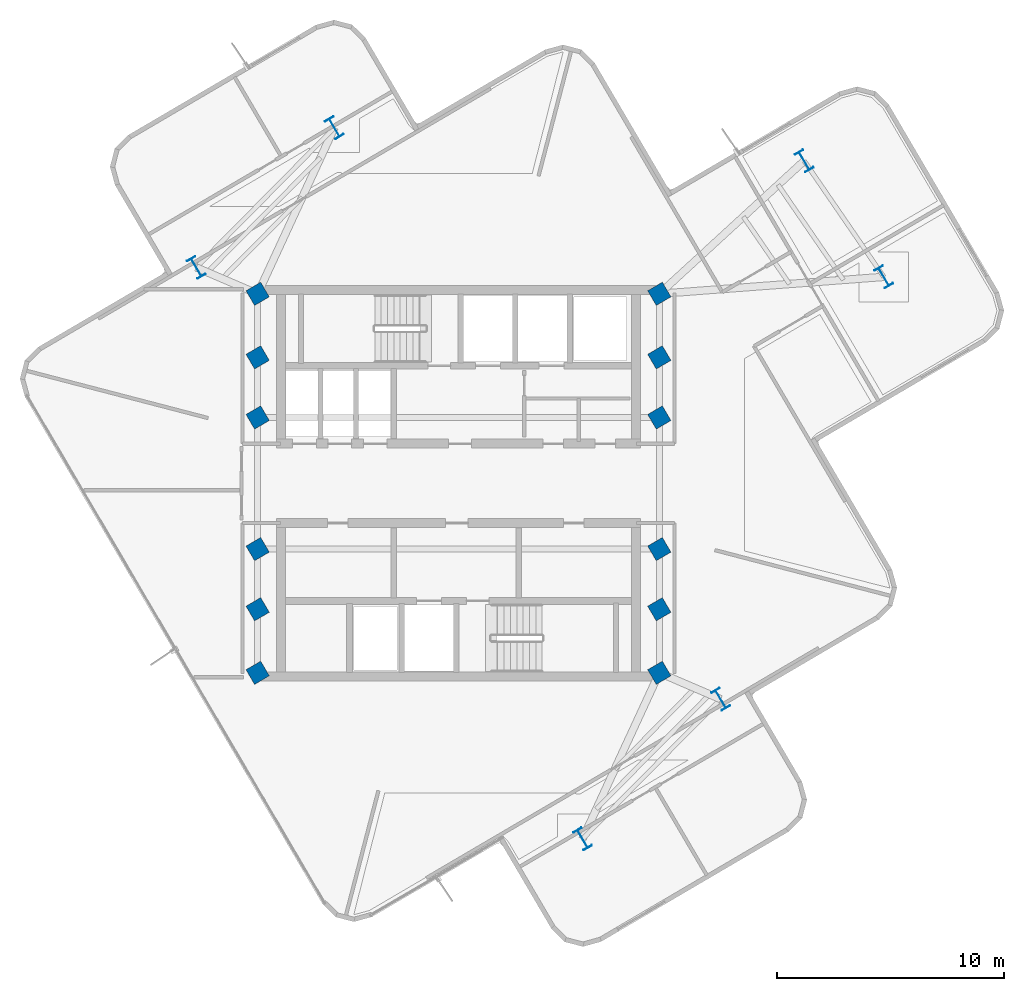
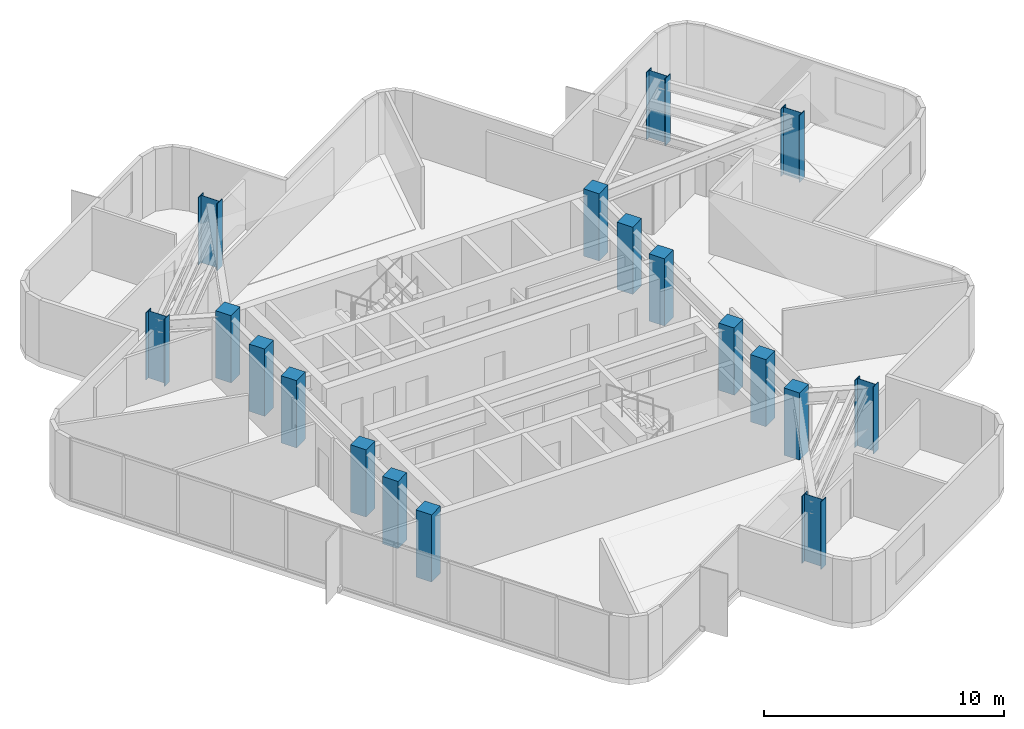
# One storey, part 1 of 9: 18 columns.
"""IFC4 building model written with IfcOpenShell, lengths in metres."""

from ifc_helpers import new_model, si_unit, direction, frame, origin, origin_2d, place, context, subcontext, project, spatial, rectangle, i_section, extrude, material, material_profile, profile_set, type_object, element, save


model = new_model("IFC4")

# Units and contexts
model_context = context("Model", 3, precision=1e-05, world=origin(), true_north=direction((0.0, 1.0)))
body_context = subcontext(model_context, "Body", "Model", "MODEL_VIEW")
ifc_project = project(units=[si_unit("LENGTHUNIT", "METRE"), si_unit("AREAUNIT", "SQUARE_METRE"), si_unit("VOLUMEUNIT", "CUBIC_METRE"), si_unit("PLANEANGLEUNIT", "RADIAN"), si_unit("MASSUNIT", "GRAM", prefix="KILO")], contexts=[model_context])

# Site, building, storey
site_placement = place(None, origin())
site = spatial("IfcSite", under=ifc_project, at=site_placement, CompositionType="ELEMENT")
building_placement = place(site_placement, origin())
building = spatial("IfcBuilding", under=site, at=building_placement, Name="Solmarez Civic Tower", CompositionType="ELEMENT")
storey_placement = place(building_placement, frame((0.0, 0.0, 208.6201171875)))
storey = spatial("IfcBuildingStorey", under=building, at=storey_placement, Name="L55", CompositionType="ELEMENT", Elevation=208.6201171875)

# Columns
ifc_material_1 = material(Name="Concrete C50/60", Category="concrete")
ifc_material_profile_1 = material_profile(ifc_material_1, rectangle(XDim=0.75, YDim=0.75, at=origin_2d()), Name="RC750X750")
ifc_profile_set_1 = profile_set([ifc_material_profile_1], Name="Concrete C50/60")
column_type_1 = type_object("IfcColumnType", Name="COL-RC750", PredefinedType="COLUMN", material=ifc_profile_set_1)
for number, where, z_axis, x_axis, name in (
    (1, (-8.85009765625, -5.550048828125, 0.0), (0.0, 0.0, 1.0), (0.862513669207, 0.506033764121, 0.0), "L55 Structural Column HC1"),
    (2, (-8.85009765625, -2.89990234375, 0.0), (0.0, 0.0, 1.0), (0.862513669207, 0.506033764121, 0.0), "L55 Structural Column HC2"),
    (3, (-8.85009765625, 2.89990234375, 0.0), (0.0, 0.0, 1.0), (0.862513669207, 0.506033764121, 0.0), "L55 Structural Column HC3"),
    (4, (-8.85009765625, 5.550048828125, 0.0), (0.0, 0.0, 1.0), (0.862513669207, 0.506033764121, 0.0), "L55 Structural Column HC4"),
    (5, (8.85009765625, -5.550048828125, 0.0), (0.0, 0.0, 1.0), (0.862513669207, 0.506033764121, 0.0), "L55 Structural Column HC5"),
    (6, (8.85009765625, -2.89990234375, 0.0), (0.0, 0.0, 1.0), (0.862513669207, 0.506033764121, 0.0), "L55 Structural Column HC6"),
    (7, (8.85009765625, 2.89990234375, 0.0), (0.0, 0.0, 1.0), (0.862513669207, 0.506033764121, 0.0), "L55 Structural Column HC7"),
    (8, (8.85009765625, 5.550048828125, 0.0), (0.0, 0.0, 1.0), (0.862513669207, 0.506033764121, 0.0), "L55 Structural Column HC8"),
    (9, (-8.85009765625, 8.35009765625, 0.0), (0.0, 0.0, 1.0), (0.862513669207, 0.506033764121, 0.0), "L55 Structural Column HC9"),
    (10, (8.85009765625, -8.35009765625, 0.0), (0.0, 0.0, 1.0), (0.862513669207, 0.506033764121, 0.0), "L55 Structural Column HC10"),
    (11, (8.85009765625, 8.35009765625, 0.0), (0.0, 0.0, 1.0), (0.862513669207, 0.506033764121, 0.0), "L55 Structural Column HC11"),
    (12, (-8.85009765625, -8.35009765625, 0.0), (0.0, 0.0, 1.0), (0.862513669207, 0.506033764121, 0.0), "L55 Structural Column HC12"),
):
    element("IfcColumn", number, at=place(storey_placement, frame(where, z_axis=z_axis, x_axis=x_axis)), inside=storey, type_object=column_type_1, Name=name, PredefinedType="COLUMN", context=body_context, shape_type="SweptSolid", body=[
        extrude(rectangle(XDim=0.75, YDim=0.75, at=origin_2d()), origin(), (0.0, 0.0, 1.0), 3.419921875),
    ])
ifc_material_2 = material(Name="Steel S355", Category="steel")
ifc_material_profile_2 = material_profile(ifc_material_2, i_section(OverallWidth=0.41796875, OverallDepth=0.927001953125, WebThickness=0.019287109375, FlangeThickness=0.031982421875, at=origin_2d()), Name="W36X231")
ifc_profile_set_2 = profile_set([ifc_material_profile_2], Name="Steel S355")
column_type_2 = type_object("IfcColumnType", Name="COL-W36X231", PredefinedType="COLUMN", material=ifc_profile_set_2)
for number, where, z_axis, x_axis, name in (
    (13, (18.740966796875, 9.096923828125, 0.0), (0.0, 0.0, 1.0), (0.862513669207, 0.506033764121, 0.0), "L55 Structural Column EA11"),
    (14, (15.23388671875, 14.208984375, 0.0), (0.0, 0.0, 1.0), (0.862513669207, 0.506033764121, 0.0), "L55 Structural Column EA12"),
    (15, (-5.468017578125, 15.6708984375, 0.0), (0.0, 0.0, 1.0), (0.862513669207, 0.506033764121, 0.0), "L55 Structural Column NA11"),
    (16, (-11.553955078125, 9.510009765625, 0.0), (0.0, 0.0, 1.0), (0.862513669207, 0.506033764121, 0.0), "L55 Structural Column NA12"),
    (17, (5.468017578125, -15.6708984375, 0.0), (0.0, 0.0, 1.0), (0.862513669207, 0.506033764121, 0.0), "L55 Structural Column SA11"),
    (18, (11.553955078125, -9.510009765625, 0.0), (0.0, 0.0, 1.0), (0.862513669207, 0.506033764121, 0.0), "L55 Structural Column SA12"),
):
    element("IfcColumn", number, at=place(storey_placement, frame(where, z_axis=z_axis, x_axis=x_axis)), inside=storey, type_object=column_type_2, Name=name, PredefinedType="COLUMN", context=body_context, shape_type="SweptSolid", body=[
        extrude(i_section(OverallWidth=0.41796875, OverallDepth=0.927001953125, WebThickness=0.019287109375, FlangeThickness=0.031982421875, at=origin_2d()), origin(), (0.0, 0.0, 1.0), 3.419921875),
    ])

save(model, "model.ifc")
